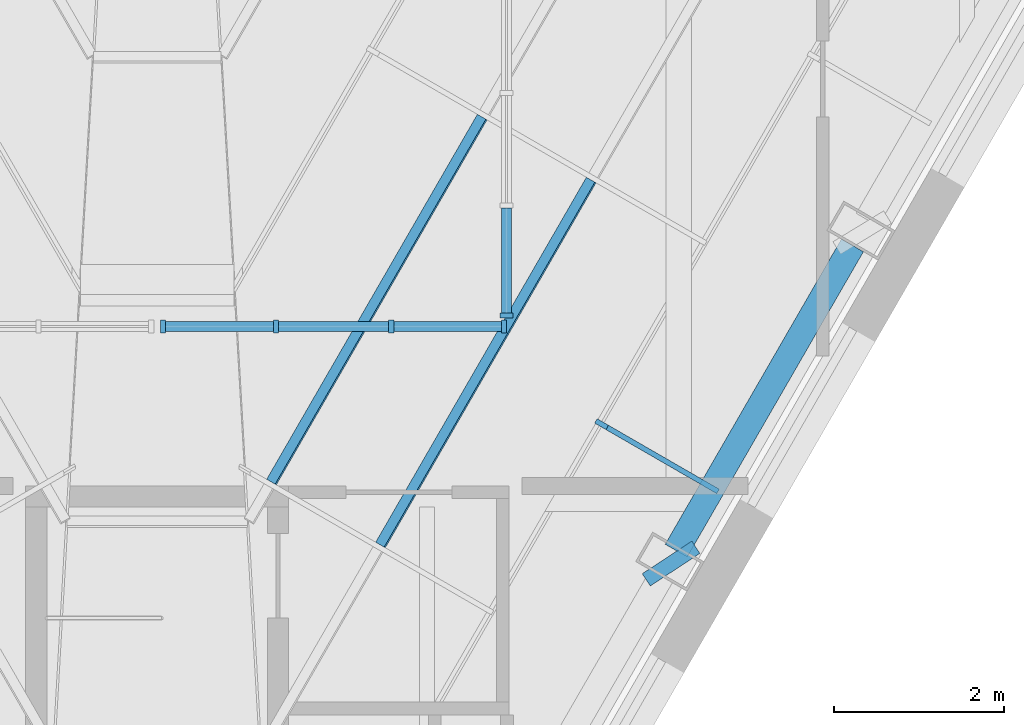
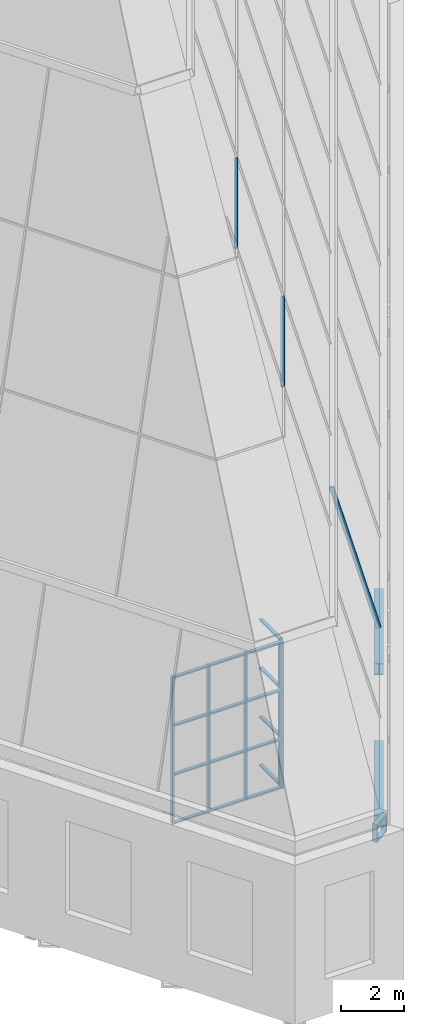
# One storey, part 6 of 36: 24 members, 3 beams, 4 elements without a shape of their own.
"""IFC4 building model written with IfcOpenShell, lengths in metres."""

from ifc_helpers import new_model, si_unit, direction, frame, origin, origin_2d, place, context, subcontext, project, spatial, rectangle, hollow_rectangle, i_section, extrude, clip, halfspace, material, layer, layer_set, material_profile, profile_set, type_object, element, aggregate, save


model = new_model("IFC4")

# Units and contexts
model_context = context("Model", 3, precision=1e-05, world=origin(), true_north=direction((0.0, 1.0)))
body_context = subcontext(model_context, "Body", "Model", "MODEL_VIEW")
ifc_project = project(units=[si_unit("LENGTHUNIT", "METRE"), si_unit("AREAUNIT", "SQUARE_METRE"), si_unit("VOLUMEUNIT", "CUBIC_METRE"), si_unit("PLANEANGLEUNIT", "RADIAN"), si_unit("MASSUNIT", "GRAM", prefix="KILO")], contexts=[model_context])

# Site, building, storey
site_placement = place(None, origin())
site = spatial("IfcSite", under=ifc_project, at=site_placement, CompositionType="ELEMENT")
building_placement = place(site_placement, origin())
building = spatial("IfcBuilding", under=site, at=building_placement, Name="Njiva Tower", CompositionType="ELEMENT")
storey_placement = place(building_placement, frame((0.0, 0.0, 337.8)))
storey = spatial("IfcBuildingStorey", under=building, at=storey_placement, Name="L77", CompositionType="ELEMENT", Elevation=337.8)

# Beams
ifc_material_1 = material(Name="Steel S355 J2", Category="steel")
ifc_material_profile_1 = material_profile(ifc_material_1, hollow_rectangle(XDim=0.7, YDim=0.7, WallThickness=0.08, at=origin_2d()), Name="BOX 700x700x80")
ifc_profile_set_1 = profile_set([ifc_material_profile_1], Name="Steel S355 J2")
beam_type_1 = type_object("IfcBeamType", Name="B19 Column jog beam BOX 700x700x80", PredefinedType="BEAM", material=ifc_profile_set_1)
beam_1_placement = place(storey_placement, frame((6.108, -14.589, -0.55), z_axis=(-0.548026257311, 0.83646112958, 0.0), x_axis=(-0.83646112958, -0.548026257311, 0.0)))
element("IfcBeam", 1, at=beam_1_placement, inside=storey, type_object=beam_type_1, Name="Column jog beam CR-B026", PredefinedType="BEAM", context=body_context, shape_type="SweptSolid", body=[
    extrude(hollow_rectangle(XDim=0.7, YDim=0.7, WallThickness=0.08, at=origin_2d()), origin(), (0.0, 0.0, 1.0), 0.1733),
])
ifc_material_profile_2 = material_profile(ifc_material_1, i_section(OverallWidth=0.3, OverallDepth=0.44, WebThickness=0.0115, FlangeThickness=0.021, at=origin_2d()), Name="HEA 450")
ifc_profile_set_2 = profile_set([ifc_material_profile_2], Name="Steel S355 J2")
beam_type_2 = type_object("IfcBeamType", Name="B57 Short-span spandrel beam HEA 450", PredefinedType="SPANDREL", material=ifc_profile_set_2)
beam_2_placement = place(storey_placement, frame((6.121, -14.364, -0.42), z_axis=(0.499916824138, 0.866073420066, 0.0), x_axis=(-0.866073420066, 0.499916824138, 0.0)))
element("IfcBeam", 2, at=beam_2_placement, inside=storey, type_object=beam_type_2, Name="Short-span spandrel beam CR-B108", PredefinedType="SPANDREL", context=body_context, shape_type="SweptSolid", body=[
    extrude(i_section(OverallWidth=0.3, OverallDepth=0.44, WebThickness=0.0115, FlangeThickness=0.021, at=origin_2d()), origin(), (0.0, 0.0, 1.0), 4.1567),
])
ifc_material_profile_3 = material_profile(ifc_material_1, i_section(OverallWidth=0.3, OverallDepth=0.44, WebThickness=0.0115, FlangeThickness=0.021, at=origin_2d()), Name="HEA 450")
ifc_profile_set_3 = profile_set([ifc_material_profile_3], Name="Steel S355 J2")
beam_type_3 = type_object("IfcBeamType", Name="B64 Roof edge beam HEA 450", PredefinedType="SPANDREL", material=ifc_profile_set_3)
beam_3_placement = place(storey_placement, frame((6.121, -14.364, 5.48), z_axis=(0.499916824138, 0.866073420066, 0.0), x_axis=(-0.866073420066, 0.499916824138, 0.0)))
element("IfcBeam", 3, at=beam_3_placement, inside=storey, type_object=beam_type_3, Name="Roof edge beam CR-B075", PredefinedType="SPANDREL", context=body_context, shape_type="SweptSolid", body=[
    extrude(i_section(OverallWidth=0.3, OverallDepth=0.44, WebThickness=0.0115, FlangeThickness=0.021, at=origin_2d()), origin(), (0.0, 0.0, 1.0), 4.1567),
])

# Curtain wall, member
ifc_material_2 = material(Name="Glazed curtain wall", Category="glass")
ifc_layer_1 = layer(ifc_material_2, 0.16)
ifc_layer_set_1 = layer_set([ifc_layer_1], Name="Glazed curtain wall")
curtain_wall_type_1 = type_object("IfcCurtainWallType", Name="CW2 Crown glazing, faceted point, long faces", PredefinedType="NOTDEFINED", material=ifc_layer_set_1)
curtain_wall_1_placement = place(storey_placement, origin())
curtain_wall_1 = element("IfcCurtainWall", 4, at=curtain_wall_1_placement, inside=storey, type_object=curtain_wall_type_1, Name="Crown glazing face SE tier 1", PredefinedType="NOTDEFINED")
ifc_material_3 = material(Name="Aluminium mullion", Category="aluminium")
ifc_material_profile_4 = material_profile(ifc_material_3, rectangle(XDim=0.16, YDim=0.06, at=origin_2d()), Name="RECT 160x60")
ifc_profile_set_4 = profile_set([ifc_material_profile_4], Name="Aluminium mullion")
member_type_1 = type_object("IfcMemberType", Name="CW2-M Crown glazing mullion 160x60", PredefinedType="MULLION", material=ifc_profile_set_4)
member_1_placement = place(storey_placement, frame((6.5466, -13.6263, 6.5), z_axis=(-0.230742804422, 0.133198315661, 0.963854743679), x_axis=(0.834755752066, -0.481870108333, 0.266428288828)))
member_1 = element("IfcMember", 5, at=member_1_placement, type_object=member_type_1, Name="CW2-51 mullion 2", PredefinedType="MULLION", context=body_context, shape_type="Clipping", body=[
    clip(clip(extrude(rectangle(XDim=0.16, YDim=0.06, at=origin_2d()), origin(), (0.0, 0.0, 1.0), 5.66), halfspace(frame((0.08, 0.0, 0.0), z_axis=(2.01451e-07, -1.8277338e-05, -0.999999999833), x_axis=(0.0, -0.999999999833, 1.8277338e-05)), False)), halfspace(frame((0.08, 0.0001, 5.66), z_axis=(-2.01451e-07, 1.8277338e-05, 0.999999999833), x_axis=(0.0, 0.999999999833, -1.8277338e-05)), False)),
])
aggregate(curtain_wall_1, [member_1])

# Curtain wall, members
curtain_wall_2_placement = place(storey_placement, origin())
curtain_wall_2 = element("IfcCurtainWall", 6, at=curtain_wall_2_placement, inside=storey, type_object=curtain_wall_type_1, Name="Crown glazing face SE tier 2", PredefinedType="NOTDEFINED")
ifc_material_4 = material(Name="Aluminium transom", Category="aluminium")
ifc_material_profile_5 = material_profile(ifc_material_4, rectangle(XDim=0.12, YDim=0.06, at=origin_2d()), Name="RECT 120x60")
ifc_profile_set_5 = profile_set([ifc_material_profile_5], Name="Aluminium transom")
member_type_2 = type_object("IfcMemberType", Name="CW2-T Crown glazing transom 120x60", PredefinedType="USERDEFINED", material=ifc_profile_set_5)
member_2_placement = place(storey_placement, frame((2.6338, -14.2972, 17.6202), z_axis=(0.500008699995, 0.866020380782, 0.0), x_axis=(0.834717805426, -0.4819357304, 0.266428483965)))
member_2 = element("IfcMember", 7, at=member_2_placement, type_object=member_type_2, Name="CW2-52 transom 2.1", ObjectType="TRANSOM", PredefinedType="USERDEFINED", context=body_context, shape_type="SweptSolid", body=[
    extrude(rectangle(XDim=0.12, YDim=0.06, at=origin_2d()), origin(), (0.0, 0.0, 1.0), 4.9695),
])
member_3_placement = place(storey_placement, frame((1.3483, -13.555, 22.9905), z_axis=(0.499993607921, 0.866029094221, 0.0), x_axis=(0.834726203916, -0.481921183835, 0.266428483965)))
member_3 = element("IfcMember", 8, at=member_3_placement, type_object=member_type_2, Name="CW2-52 transom 2.2", ObjectType="TRANSOM", PredefinedType="USERDEFINED", context=body_context, shape_type="SweptSolid", body=[
    extrude(rectangle(XDim=0.12, YDim=0.06, at=origin_2d()), origin(), (0.0, 0.0, 1.0), 4.9695),
])
aggregate(curtain_wall_2, [member_2, member_3])

ifc_layer_2 = layer(ifc_material_2, 0.2)
ifc_layer_set_2 = layer_set([ifc_layer_2], Name="Glazed curtain wall")
curtain_wall_type_2 = type_object("IfcCurtainWallType", Name="CW5 Atrium lantern glazing", PredefinedType="NOTDEFINED", material=ifc_layer_set_2)
curtain_wall_3_placement = place(storey_placement, origin())
curtain_wall_3 = element("IfcCurtainWall", 9, at=curtain_wall_3_placement, inside=storey, type_object=curtain_wall_type_2, Name="Atrium lantern south 2", PredefinedType="NOTDEFINED")
ifc_material_profile_6 = material_profile(ifc_material_3, rectangle(XDim=0.15, YDim=0.06, at=origin_2d()), Name="RECT 150x60")
ifc_profile_set_6 = profile_set([ifc_material_profile_6], Name="Aluminium mullion")
member_type_3 = type_object("IfcMemberType", Name="CW5-M Lantern mullion 150x60", PredefinedType="MULLION", material=ifc_profile_set_6)
member_4_placement = place(storey_placement, frame((0.07, -11.72, 0.0), z_axis=(0.0, 0.0, 1.0), x_axis=(0.0, 1.0, 0.0)))
member_4 = element("IfcMember", 10, at=member_4_placement, type_object=member_type_3, Name="CW5-2 mullion 1", PredefinedType="MULLION", context=body_context, shape_type="SweptSolid", body=[
    extrude(rectangle(XDim=0.15, YDim=0.06, at=origin_2d()), origin(), (0.0, 0.0, 1.0), 5.7),
])
member_5_placement = place(storey_placement, frame((1.4, -11.72, 0.0), z_axis=(0.0, 0.0, 1.0), x_axis=(0.0, 1.0, 0.0)))
member_5 = element("IfcMember", 11, at=member_5_placement, type_object=member_type_3, Name="CW5-2 mullion 2", PredefinedType="MULLION", context=body_context, shape_type="SweptSolid", body=[
    extrude(rectangle(XDim=0.15, YDim=0.06, at=origin_2d()), origin(), (0.0, 0.0, 1.0), 5.7),
])
member_6_placement = place(storey_placement, frame((2.76, -11.72, 0.0), z_axis=(0.0, 0.0, 1.0), x_axis=(0.0, 1.0, 0.0)))
member_6 = element("IfcMember", 12, at=member_6_placement, type_object=member_type_3, Name="CW5-2 mullion 3", PredefinedType="MULLION", context=body_context, shape_type="SweptSolid", body=[
    extrude(rectangle(XDim=0.15, YDim=0.06, at=origin_2d()), origin(), (0.0, 0.0, 1.0), 5.7),
])
member_7_placement = place(storey_placement, frame((4.09, -11.72, 0.0), z_axis=(0.0, 0.0, 1.0), x_axis=(0.0, 1.0, 0.0)))
member_7 = element("IfcMember", 13, at=member_7_placement, type_object=member_type_3, Name="CW5-2 mullion 4", PredefinedType="MULLION", context=body_context, shape_type="SweptSolid", body=[
    extrude(rectangle(XDim=0.15, YDim=0.06, at=origin_2d()), origin(), (0.0, 0.0, 1.0), 5.7),
])

# Curtain wall, member
curtain_wall_4_placement = place(storey_placement, origin())
curtain_wall_4 = element("IfcCurtainWall", 14, at=curtain_wall_4_placement, inside=storey, type_object=curtain_wall_type_2, Name="Atrium lantern east 1", PredefinedType="NOTDEFINED")
member_8_placement = place(storey_placement, frame((4.12, -11.59, 0.0), z_axis=(0.0, 0.0, 1.0), x_axis=(-1.0, 0.0, 0.0)))
member_8 = element("IfcMember", 15, at=member_8_placement, type_object=member_type_3, Name="CW5-7 mullion 1", PredefinedType="MULLION", context=body_context, shape_type="SweptSolid", body=[
    extrude(rectangle(XDim=0.15, YDim=0.06, at=origin_2d()), origin(), (0.0, 0.0, 1.0), 5.7),
])

# Member
ifc_material_profile_7 = material_profile(ifc_material_4, rectangle(XDim=0.12, YDim=0.06, at=origin_2d()), Name="RECT 120x60")
ifc_profile_set_7 = profile_set([ifc_material_profile_7], Name="Aluminium transom")
member_type_4 = type_object("IfcMemberType", Name="CW5-T Lantern transom 120x60", PredefinedType="USERDEFINED", material=ifc_profile_set_7)
member_9_placement = place(storey_placement, frame((0.1, -11.72, 0.03), z_axis=(1.0, 0.0, 0.0), x_axis=(0.0, 1.0, 0.0)))
member_9 = element("IfcMember", 16, at=member_9_placement, type_object=member_type_4, Name="CW5-2 transom 1.1", ObjectType="TRANSOM", PredefinedType="USERDEFINED", context=body_context, shape_type="SweptSolid", body=[
    extrude(rectangle(XDim=0.12, YDim=0.06, at=origin_2d()), origin(), (0.0, 0.0, 1.0), 1.27),
])

member_10_placement = place(storey_placement, frame((0.1, -11.72, 1.9), z_axis=(1.0, 0.0, 0.0), x_axis=(0.0, 1.0, 0.0)))
member_10 = element("IfcMember", 17, at=member_10_placement, type_object=member_type_4, Name="CW5-2 transom 1.2", ObjectType="TRANSOM", PredefinedType="USERDEFINED", context=body_context, shape_type="SweptSolid", body=[
    extrude(rectangle(XDim=0.12, YDim=0.06, at=origin_2d()), origin(), (0.0, 0.0, 1.0), 1.27),
])

member_11_placement = place(storey_placement, frame((0.1, -11.72, 3.8), z_axis=(1.0, 0.0, 0.0), x_axis=(0.0, 1.0, 0.0)))
member_11 = element("IfcMember", 18, at=member_11_placement, type_object=member_type_4, Name="CW5-2 transom 1.3", ObjectType="TRANSOM", PredefinedType="USERDEFINED", context=body_context, shape_type="SweptSolid", body=[
    extrude(rectangle(XDim=0.12, YDim=0.06, at=origin_2d()), origin(), (0.0, 0.0, 1.0), 1.27),
])

member_12_placement = place(storey_placement, frame((0.1, -11.72, 5.67), z_axis=(1.0, 0.0, 0.0), x_axis=(0.0, 1.0, 0.0)))
member_12 = element("IfcMember", 19, at=member_12_placement, type_object=member_type_4, Name="CW5-2 transom 1.4", ObjectType="TRANSOM", PredefinedType="USERDEFINED", context=body_context, shape_type="SweptSolid", body=[
    extrude(rectangle(XDim=0.12, YDim=0.06, at=origin_2d()), origin(), (0.0, 0.0, 1.0), 1.27),
])

member_13_placement = place(storey_placement, frame((1.43, -11.72, 0.03), z_axis=(1.0, 0.0, 0.0), x_axis=(0.0, 1.0, 0.0)))
member_13 = element("IfcMember", 20, at=member_13_placement, type_object=member_type_4, Name="CW5-2 transom 2.1", ObjectType="TRANSOM", PredefinedType="USERDEFINED", context=body_context, shape_type="SweptSolid", body=[
    extrude(rectangle(XDim=0.12, YDim=0.06, at=origin_2d()), origin(), (0.0, 0.0, 1.0), 1.3),
])

member_14_placement = place(storey_placement, frame((1.43, -11.72, 1.9), z_axis=(1.0, 0.0, 0.0), x_axis=(0.0, 1.0, 0.0)))
member_14 = element("IfcMember", 21, at=member_14_placement, type_object=member_type_4, Name="CW5-2 transom 2.2", ObjectType="TRANSOM", PredefinedType="USERDEFINED", context=body_context, shape_type="SweptSolid", body=[
    extrude(rectangle(XDim=0.12, YDim=0.06, at=origin_2d()), origin(), (0.0, 0.0, 1.0), 1.3),
])

member_15_placement = place(storey_placement, frame((1.43, -11.72, 3.8), z_axis=(1.0, 0.0, 0.0), x_axis=(0.0, 1.0, 0.0)))
member_15 = element("IfcMember", 22, at=member_15_placement, type_object=member_type_4, Name="CW5-2 transom 2.3", ObjectType="TRANSOM", PredefinedType="USERDEFINED", context=body_context, shape_type="SweptSolid", body=[
    extrude(rectangle(XDim=0.12, YDim=0.06, at=origin_2d()), origin(), (0.0, 0.0, 1.0), 1.3),
])

member_16_placement = place(storey_placement, frame((1.43, -11.72, 5.67), z_axis=(1.0, 0.0, 0.0), x_axis=(0.0, 1.0, 0.0)))
member_16 = element("IfcMember", 23, at=member_16_placement, type_object=member_type_4, Name="CW5-2 transom 2.4", ObjectType="TRANSOM", PredefinedType="USERDEFINED", context=body_context, shape_type="SweptSolid", body=[
    extrude(rectangle(XDim=0.12, YDim=0.06, at=origin_2d()), origin(), (0.0, 0.0, 1.0), 1.3),
])

member_17_placement = place(storey_placement, frame((2.79, -11.72, 0.03), z_axis=(1.0, 0.0, 0.0), x_axis=(0.0, 1.0, 0.0)))
member_17 = element("IfcMember", 24, at=member_17_placement, type_object=member_type_4, Name="CW5-2 transom 3.1", ObjectType="TRANSOM", PredefinedType="USERDEFINED", context=body_context, shape_type="SweptSolid", body=[
    extrude(rectangle(XDim=0.12, YDim=0.06, at=origin_2d()), origin(), (0.0, 0.0, 1.0), 1.27),
])

member_18_placement = place(storey_placement, frame((2.79, -11.72, 1.9), z_axis=(1.0, 0.0, 0.0), x_axis=(0.0, 1.0, 0.0)))
member_18 = element("IfcMember", 25, at=member_18_placement, type_object=member_type_4, Name="CW5-2 transom 3.2", ObjectType="TRANSOM", PredefinedType="USERDEFINED", context=body_context, shape_type="SweptSolid", body=[
    extrude(rectangle(XDim=0.12, YDim=0.06, at=origin_2d()), origin(), (0.0, 0.0, 1.0), 1.27),
])

member_19_placement = place(storey_placement, frame((2.79, -11.72, 3.8), z_axis=(1.0, 0.0, 0.0), x_axis=(0.0, 1.0, 0.0)))
member_19 = element("IfcMember", 26, at=member_19_placement, type_object=member_type_4, Name="CW5-2 transom 3.3", ObjectType="TRANSOM", PredefinedType="USERDEFINED", context=body_context, shape_type="SweptSolid", body=[
    extrude(rectangle(XDim=0.12, YDim=0.06, at=origin_2d()), origin(), (0.0, 0.0, 1.0), 1.27),
])

member_20_placement = place(storey_placement, frame((2.79, -11.72, 5.67), z_axis=(1.0, 0.0, 0.0), x_axis=(0.0, 1.0, 0.0)))
member_20 = element("IfcMember", 27, at=member_20_placement, type_object=member_type_4, Name="CW5-2 transom 3.4", ObjectType="TRANSOM", PredefinedType="USERDEFINED", context=body_context, shape_type="SweptSolid", body=[
    extrude(rectangle(XDim=0.12, YDim=0.06, at=origin_2d()), origin(), (0.0, 0.0, 1.0), 1.27),
])

aggregate(curtain_wall_3, [member_4, member_5, member_6, member_7, member_9, member_10, member_11, member_12, member_13, member_14, member_15, member_16, member_17, member_18, member_19, member_20])

member_21_placement = place(storey_placement, frame((4.12, -11.56, 0.03), z_axis=(0.0, 1.0, 0.0), x_axis=(-1.0, 0.0, 0.0)))
member_21 = element("IfcMember", 28, at=member_21_placement, type_object=member_type_4, Name="CW5-7 transom 1.1", ObjectType="TRANSOM", PredefinedType="USERDEFINED", context=body_context, shape_type="SweptSolid", body=[
    extrude(rectangle(XDim=0.12, YDim=0.06, at=origin_2d()), origin(), (0.0, 0.0, 1.0), 1.2367),
])

member_22_placement = place(storey_placement, frame((4.12, -11.56, 1.9), z_axis=(0.0, 1.0, 0.0), x_axis=(-1.0, 0.0, 0.0)))
member_22 = element("IfcMember", 29, at=member_22_placement, type_object=member_type_4, Name="CW5-7 transom 1.2", ObjectType="TRANSOM", PredefinedType="USERDEFINED", context=body_context, shape_type="SweptSolid", body=[
    extrude(rectangle(XDim=0.12, YDim=0.06, at=origin_2d()), origin(), (0.0, 0.0, 1.0), 1.2367),
])

member_23_placement = place(storey_placement, frame((4.12, -11.56, 3.8), z_axis=(0.0, 1.0, 0.0), x_axis=(-1.0, 0.0, 0.0)))
member_23 = element("IfcMember", 30, at=member_23_placement, type_object=member_type_4, Name="CW5-7 transom 1.3", ObjectType="TRANSOM", PredefinedType="USERDEFINED", context=body_context, shape_type="SweptSolid", body=[
    extrude(rectangle(XDim=0.12, YDim=0.06, at=origin_2d()), origin(), (0.0, 0.0, 1.0), 1.2367),
])

member_24_placement = place(storey_placement, frame((4.12, -11.56, 5.67), z_axis=(0.0, 1.0, 0.0), x_axis=(-1.0, 0.0, 0.0)))
member_24 = element("IfcMember", 31, at=member_24_placement, type_object=member_type_4, Name="CW5-7 transom 1.4", ObjectType="TRANSOM", PredefinedType="USERDEFINED", context=body_context, shape_type="SweptSolid", body=[
    extrude(rectangle(XDim=0.12, YDim=0.06, at=origin_2d()), origin(), (0.0, 0.0, 1.0), 1.2367),
])

aggregate(curtain_wall_4, [member_8, member_21, member_22, member_23, member_24])

save(model, "model.ifc")
